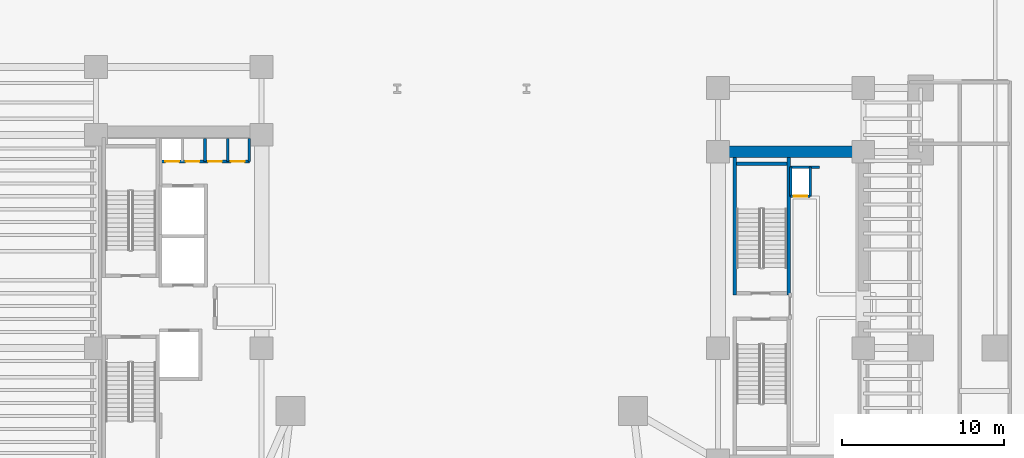
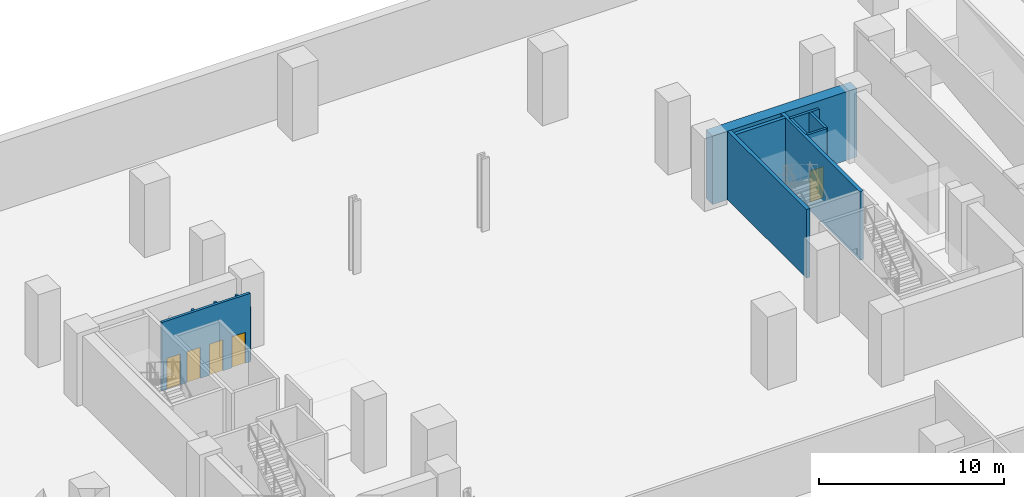
# One storey, part 5 of 10: 12 walls, 5 doors, 5 openings.
"""IFC4 building model written with IfcOpenShell, lengths in metres."""

from ifc_helpers import new_model, si_unit, direction, frame, frame_2d, origin, place, context, subcontext, project, spatial, rectangle, extrude, material, layer, layer_set, type_object, element, fill, save


model = new_model("IFC4")

# Units and contexts
model_context = context("Model", 3, precision=1e-05, world=origin(), true_north=direction((0.0, 1.0)))
body_context = subcontext(model_context, "Body", "Model", "MODEL_VIEW")
ifc_project = project(units=[si_unit("LENGTHUNIT", "METRE"), si_unit("AREAUNIT", "SQUARE_METRE"), si_unit("VOLUMEUNIT", "CUBIC_METRE"), si_unit("PLANEANGLEUNIT", "RADIAN"), si_unit("MASSUNIT", "GRAM", prefix="KILO")], contexts=[model_context])

# Site, building, storey
site_placement = place(None, origin())
site = spatial("IfcSite", under=ifc_project, at=site_placement, CompositionType="ELEMENT")
building_placement = place(site_placement, origin())
building = spatial("IfcBuilding", under=site, at=building_placement, Name="Valdorenza Pilgrim Sanctuary Tower", CompositionType="ELEMENT")
storey_placement = place(building_placement, frame((0.0, 0.0, -4.800048828125)))
storey = spatial("IfcBuildingStorey", under=building, at=storey_placement, Name="B01", CompositionType="ELEMENT", Elevation=-4.800048828125)

# Wall, openings, doors
ifc_material_1 = material(Name="Acoustic twin-stud gypsum partition", Category="gypsum")
ifc_layer_1 = layer(ifc_material_1, 0.159912109375, Name="Acoustic twin-stud gypsum partition")
ifc_layer_set_1 = layer_set([ifc_layer_1], Name="Acoustic twin-stud gypsum partition")
wall_type_1 = type_object("IfcWallType", Name="WAL-COR-160", PredefinedType="PARTITIONING", material=ifc_layer_set_1)
wall_1_placement = place(storey_placement, frame((-18.64990234375, 8.949951171875, 0.0), z_axis=(0.0, 0.0, 1.0), x_axis=(1.0, 0.0, 0.0)))
wall_1 = element("IfcWall", 1, at=wall_1_placement, inside=storey, type_object=wall_type_1, Name="B01 Core A North Service South Wall", PredefinedType="PARTITIONING", context=body_context, shape_type="SweptSolid", body=[
    extrude(rectangle(XDim=5.5, YDim=0.159912109375, at=frame_2d((2.75, 0.0))), origin(), (0.0, 0.0, 1.0), 4.52001953125),
])
opening_1_placement = place(wall_1_placement, frame((0.300048828125, 0.0, 0.0)))
opening_1 = element("IfcOpeningElement", 2, at=opening_1_placement, cuts=wall_1, Name="Opening DR-RS1", PredefinedType="OPENING", context=body_context, shape_type="SweptSolid", body=[
    extrude(rectangle(XDim=0.85009765625, YDim=2.050048828125, at=frame_2d((0.425048828125, 1.02490234375))), frame((0.0, 0.0947265625, 0.0), z_axis=(0.0, -1.0, 0.0), x_axis=(1.0, 0.0, 0.0)), (0.0, 0.0, 1.0), 0.189697265625),
])
opening_2_placement = place(wall_1_placement, frame((1.550048828125, 0.0, 0.0)))
opening_2 = element("IfcOpeningElement", 3, at=opening_2_placement, cuts=wall_1, Name="Opening DR-RS1", PredefinedType="OPENING", context=body_context, shape_type="SweptSolid", body=[
    extrude(rectangle(XDim=0.85009765625, YDim=2.050048828125, at=frame_2d((0.425048828125, 1.02490234375))), frame((0.0, 0.0947265625, 0.0), z_axis=(0.0, -1.0, 0.0), x_axis=(1.0, 0.0, 0.0)), (0.0, 0.0, 1.0), 0.189697265625),
])
opening_3_placement = place(wall_1_placement, frame((2.949951171875, 0.0, 0.0)))
opening_3 = element("IfcOpeningElement", 4, at=opening_3_placement, cuts=wall_1, Name="Opening DR-RS1", PredefinedType="OPENING", context=body_context, shape_type="SweptSolid", body=[
    extrude(rectangle(XDim=0.85009765625, YDim=2.050048828125, at=frame_2d((0.425048828125, 1.02490234375))), frame((0.0, 0.0947265625, 0.0), z_axis=(0.0, -1.0, 0.0), x_axis=(1.0, 0.0, 0.0)), (0.0, 0.0, 1.0), 0.189697265625),
])
opening_4_placement = place(wall_1_placement, frame((4.35009765625, 0.0, 0.0)))
opening_4 = element("IfcOpeningElement", 5, at=opening_4_placement, cuts=wall_1, Name="Opening DR-RS1", PredefinedType="OPENING", context=body_context, shape_type="SweptSolid", body=[
    extrude(rectangle(XDim=0.85009765625, YDim=2.050048828125, at=frame_2d((0.425048828125, 1.02490234375))), frame((0.0, 0.0947265625, 0.0), z_axis=(0.0, -1.0, 0.0), x_axis=(1.0, 0.0, 0.0)), (0.0, 0.0, 1.0), 0.189697265625),
])
ifc_material_2 = material(Name="Painted galvanized steel", Category="steel")
door_type = type_object("IfcDoorType", Name="DR-RSR-850", OperationType="NOTDEFINED", PredefinedType="DOOR", material=ifc_material_2)
door_1_placement = place(opening_1_placement, origin())
door_1 = element("IfcDoor", 6, at=door_1_placement, inside=storey, type_object=door_type, Name="B01 Core Electrical and Telecom Riser Door", OperationType="SINGLE_SWING_LEFT", OverallHeight=2.050048828125, OverallWidth=0.85009765625, PredefinedType="DOOR", context=body_context, shape_type="SweptSolid", body=[
    extrude(rectangle(XDim=0.85009765625, YDim=2.050048828125, at=frame_2d((0.425048828125, 1.02490234375))), frame((0.0, 0.02490234375, 0.0), z_axis=(0.0, -1.0, 0.0), x_axis=(1.0, 0.0, 0.0)), (0.0, 0.0, 1.0), 0.050048828125),
])
fill(opening_1, door_1)
door_2_placement = place(opening_2_placement, origin())
door_2 = element("IfcDoor", 7, at=door_2_placement, inside=storey, type_object=door_type, Name="B01 Core Janitor and Maintenance Store Door", OperationType="SINGLE_SWING_RIGHT", OverallHeight=2.050048828125, OverallWidth=0.85009765625, PredefinedType="DOOR", context=body_context, shape_type="SweptSolid", body=[
    extrude(rectangle(XDim=0.85009765625, YDim=2.050048828125, at=frame_2d((0.425048828125, 1.02490234375))), frame((0.0, 0.02490234375, 0.0), z_axis=(0.0, -1.0, 0.0), x_axis=(1.0, 0.0, 0.0)), (0.0, 0.0, 1.0), 0.050048828125),
])
fill(opening_2, door_2)
door_3_placement = place(opening_3_placement, origin())
door_3 = element("IfcDoor", 8, at=door_3_placement, inside=storey, type_object=door_type, Name="B01 Core IT Server Closet Door", OperationType="SINGLE_SWING_LEFT", OverallHeight=2.050048828125, OverallWidth=0.85009765625, PredefinedType="DOOR", context=body_context, shape_type="SweptSolid", body=[
    extrude(rectangle(XDim=0.85009765625, YDim=2.050048828125, at=frame_2d((0.425048828125, 1.02490234375))), frame((0.0, 0.02490234375, 0.0), z_axis=(0.0, -1.0, 0.0), x_axis=(1.0, 0.0, 0.0)), (0.0, 0.0, 1.0), 0.050048828125),
])
fill(opening_3, door_3)
door_4_placement = place(opening_4_placement, origin())
door_4 = element("IfcDoor", 9, at=door_4_placement, inside=storey, type_object=door_type, Name="B01 Core Staff Washroom Door", OperationType="SINGLE_SWING_RIGHT", OverallHeight=2.050048828125, OverallWidth=0.85009765625, PredefinedType="DOOR", context=body_context, shape_type="SweptSolid", body=[
    extrude(rectangle(XDim=0.85009765625, YDim=2.050048828125, at=frame_2d((0.425048828125, 1.02490234375))), frame((0.0, 0.02490234375, 0.0), z_axis=(0.0, -1.0, 0.0), x_axis=(1.0, 0.0, 0.0)), (0.0, 0.0, 1.0), 0.050048828125),
])
fill(opening_4, door_4)

# Walls
for number, where, z_axis, x_axis, name in (
    (10, (-13.14990234375, 8.949951171875, 0.0), (0.0, 0.0, 1.0), (0.0, 1.0, 0.0), "B01 Core A North Service East Wall"),
    (11, (-15.89990234375, 8.949951171875, 0.0), (0.0, 0.0, 1.0), (0.0, 1.0, 0.0), "B01 Core A Split D1"),
    (12, (-14.5, 8.949951171875, 0.0), (0.0, 0.0, 1.0), (0.0, 1.0, 0.0), "B01 Core A Split D2"),
):
    element("IfcWall", number, at=place(storey_placement, frame(where, z_axis=z_axis, x_axis=x_axis)), inside=storey, type_object=wall_type_1, Name=name, PredefinedType="PARTITIONING", context=body_context, shape_type="SweptSolid", body=[
        extrude(rectangle(XDim=1.429931640625, YDim=0.159912109375, at=frame_2d((0.71484375, 0.0))), origin(), (0.0, 0.0, 1.0), 3.55712890625),
    ])

# Wall, opening, door
wall_2_placement = place(storey_placement, frame((20.35009765625, 6.800048828125, 0.0), z_axis=(0.0, 0.0, 1.0), x_axis=(1.0, 0.0, 0.0)))
wall_2 = element("IfcWall", 13, at=wall_2_placement, inside=storey, type_object=wall_type_1, Name="B01 Core B Riser South Wall", PredefinedType="PARTITIONING", context=body_context, shape_type="SweptSolid", body=[
    extrude(rectangle(XDim=1.199951171875, YDim=0.159912109375, at=frame_2d((0.60009765625, 0.0))), origin(), (0.0, 0.0, 1.0), 4.52001953125),
])
opening_5_placement = place(wall_2_placement, frame((0.175048828125, 0.0, 0.0)))
opening_5 = element("IfcOpeningElement", 14, at=opening_5_placement, cuts=wall_2, Name="Opening DR-RS1", PredefinedType="OPENING", context=body_context, shape_type="SweptSolid", body=[
    extrude(rectangle(XDim=0.85009765625, YDim=2.050048828125, at=frame_2d((0.425048828125, 1.02490234375))), frame((0.0, 0.0947265625, 0.0), z_axis=(0.0, -1.0, 0.0), x_axis=(1.0, 0.0, 0.0)), (0.0, 0.0, 1.0), 0.189697265625),
])
door_5_placement = place(opening_5_placement, origin())
door_5 = element("IfcDoor", 15, at=door_5_placement, inside=storey, type_object=door_type, Name="B01 Core B Electrical Riser Door", OperationType="SINGLE_SWING_RIGHT", OverallHeight=2.050048828125, OverallWidth=0.85009765625, PredefinedType="DOOR", context=body_context, shape_type="SweptSolid", body=[
    extrude(rectangle(XDim=0.85009765625, YDim=2.050048828125, at=frame_2d((0.425048828125, 1.02490234375))), frame((0.0, 0.02490234375, 0.0), z_axis=(0.0, -1.0, 0.0), x_axis=(1.0, 0.0, 0.0)), (0.0, 0.0, 1.0), 0.050048828125),
])
fill(opening_5, door_5)

# Walls
for number, where, z_axis, x_axis, name in (
    (16, (21.550048828125, 6.800048828125, 0.0), (0.0, 0.0, 1.0), (0.0, 1.0, 0.0), "B01 Core B Riser East Wall"),
    (17, (20.35009765625, 6.800048828125, 0.0), (0.0, 0.0, 1.0), (0.0, 1.0, 0.0), "B01 Core B Riser West Wall"),
):
    element("IfcWall", number, at=place(storey_placement, frame(where, z_axis=z_axis, x_axis=x_axis)), inside=storey, type_object=wall_type_1, Name=name, PredefinedType="PARTITIONING", context=body_context, shape_type="SweptSolid", body=[
        extrude(rectangle(XDim=1.800048828125, YDim=0.159912109375, at=frame_2d((0.89990234375, 0.0))), origin(), (0.0, 0.0, 1.0), 4.52001953125),
    ])
wall_3_placement = place(storey_placement, frame((20.300048828125, 8.60009765625, 0.0), z_axis=(0.0, 0.0, 1.0), x_axis=(1.0, 0.0, 0.0)))
element("IfcWall", 18, at=wall_3_placement, inside=storey, type_object=wall_type_1, Name="B01 Core B Lift Hall North End Wall", PredefinedType="PARTITIONING", context=body_context, shape_type="SweptSolid", body=[
    extrude(rectangle(XDim=1.820068359375, YDim=0.159912109375, at=frame_2d((0.91015625, 0.0))), origin(), (0.0, 0.0, 1.0), 4.52001953125),
])
ifc_material_3 = material(Name="Concrete C60/75", Category="concrete")
ifc_layer_2 = layer(ifc_material_3, 0.699951171875, Name="Concrete C60/75")
ifc_layer_set_2 = layer_set([ifc_layer_2], Name="Concrete C60/75")
wall_type_2 = type_object("IfcWallType", Name="WAL-COR-700", PredefinedType="SHEAR", material=ifc_layer_set_2)
wall_4_placement = place(storey_placement, frame((15.85009765625, 9.550048828125, 0.0), z_axis=(0.0, 0.0, 1.0), x_axis=(1.0, 0.0, 0.0)))
element("IfcWall", 19, at=wall_4_placement, inside=storey, type_object=wall_type_2, Name="B01 Split Core B Shear Wall N", PredefinedType="SHEAR", context=body_context, shape_type="SweptSolid", body=[
    extrude(rectangle(XDim=9.0, YDim=0.699951171875, at=frame_2d((4.5, 0.0))), origin(), (0.0, 0.0, 1.0), 4.52001953125),
])
ifc_material_4 = material(Name="Concrete C40/50", Category="concrete")
ifc_layer_3 = layer(ifc_material_4, 0.219970703125, Name="Concrete C40/50")
ifc_layer_set_3 = layer_set([ifc_layer_3], Name="Concrete C40/50")
wall_type_3 = type_object("IfcWallType", Name="WAL-STR-SHF-220", PredefinedType="SHEAR", material=ifc_layer_set_3)
for number, where, z_axis, x_axis, name in (
    (20, (16.889892578125, 0.679931640625, 0.0), (0.0, 0.0, 1.0), (0.0, 1.0, 0.0), "B01 ST-B1 Structural Stairwell Wall W"),
    (21, (20.219970703125, 0.679931640625, 0.0), (0.0, 0.0, 1.0), (0.0, 1.0, 0.0), "B01 ST-B1 Structural Stairwell Wall E"),
):
    element("IfcWall", number, at=place(storey_placement, frame(where, z_axis=z_axis, x_axis=x_axis)), inside=storey, type_object=wall_type_3, Name=name, PredefinedType="SHEAR", context=body_context, shape_type="SweptSolid", body=[
        extrude(rectangle(XDim=8.52001953125, YDim=0.219970703125, at=frame_2d((4.260009765625, 0.0))), origin(), (0.0, 0.0, 1.0), 4.52001953125),
    ])
wall_5_placement = place(storey_placement, frame((17.0, 8.81005859375, 0.0), z_axis=(0.0, 0.0, 1.0), x_axis=(1.0, 0.0, 0.0)))
element("IfcWall", 22, at=wall_5_placement, inside=storey, type_object=wall_type_3, Name="B01 ST-B1 Structural Stairwell Wall N", PredefinedType="SHEAR", context=body_context, shape_type="SweptSolid", body=[
    extrude(rectangle(XDim=3.110107421875, YDim=0.219970703125, at=frame_2d((1.55517578125, 0.0))), origin(), (0.0, 0.0, 1.0), 4.52001953125),
])

save(model, "model.ifc")
